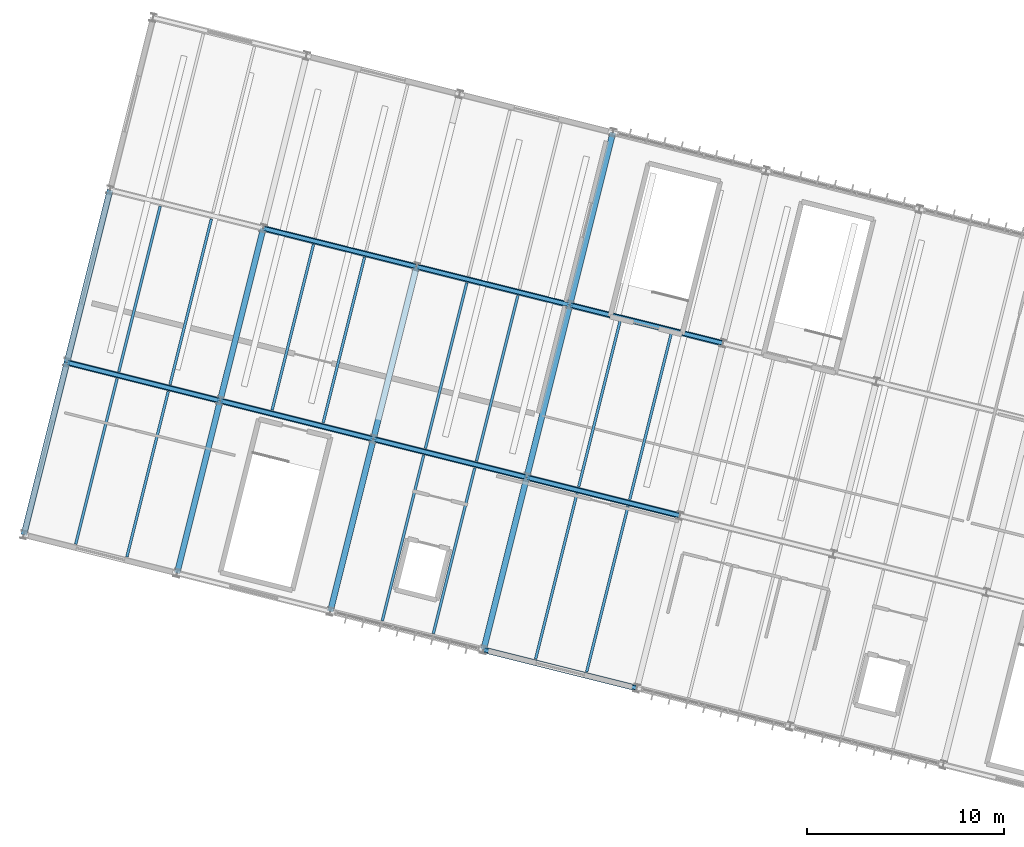
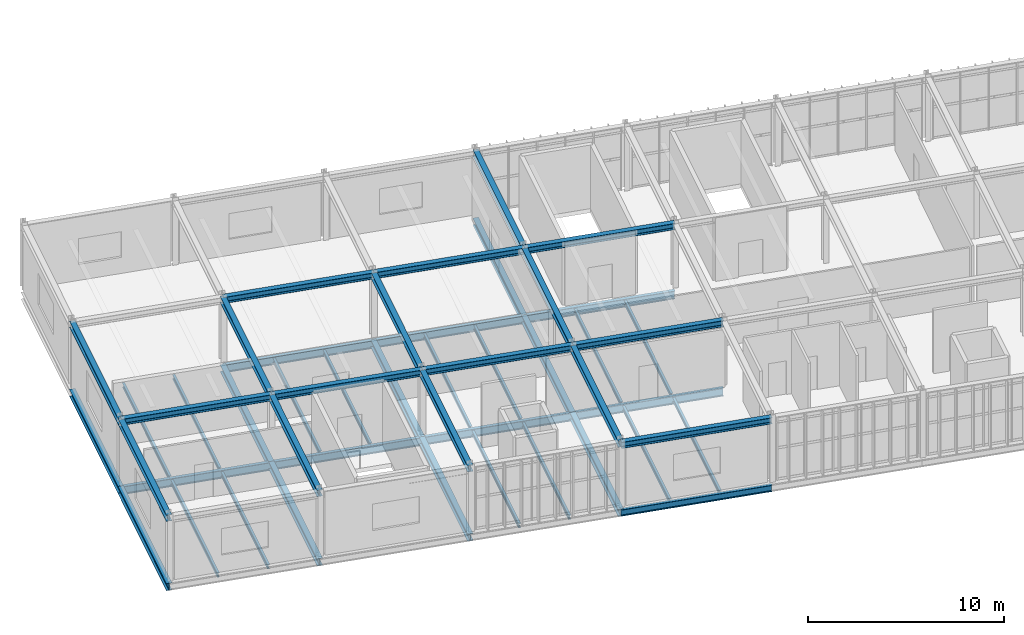
# One storey, part 7 of 30: 48 beams.
"""IFC4 building model written with IfcOpenShell, lengths in metres."""

import ifcopenshell
import ifcopenshell.guid

model = None  # the IFC model being written
_history = None  # IfcOwnerHistory: only IFC2X3 demands one
_inside = {}  # id of a spatial element -> (the spatial element, [elements in it])
_under = {}  # id of a project, library or spatial element -> (it, [spatial elements below it])
_declared = {}  # id of a project -> (the project, [libraries it declares])
_typed = {}  # id of a type object -> (the type object, [elements of that type])
_made_of = {}  # id of a material, layer set ... -> (it, [elements and type objects made of it])


def new_model(schema):
    """Start an empty IFC model of exactly this schema.

    Asked for "IFC4X3", IfcOpenShell would pick the latest addendum, in which some entities
    have other attributes; the version numbers below select the first issue.
    IFC2X3 requires an IfcOwnerHistory on every rooted entity: one is made here for all.
    """
    global model, _history
    if schema == "IFC4X3":
        model = ifcopenshell.file(schema_version=(4, 3, 0, 0))
    else:
        model = ifcopenshell.file(schema=schema)
    _inside.clear()
    _under.clear()
    _declared.clear()
    _typed.clear()
    _made_of.clear()
    _history = None
    if model.schema == "IFC2X3":
        org = make("IfcOrganization", Name="unknown")
        user = make(
            "IfcPersonAndOrganization",
            ThePerson=make("IfcPerson", FamilyName="unknown"),
            TheOrganization=org,
        )
        app = make(
            "IfcApplication",
            ApplicationDeveloper=org,
            Version="unknown",
            ApplicationFullName="unknown",
            ApplicationIdentifier="unknown",
        )
        _history = make(
            "IfcOwnerHistory",
            OwningUser=user,
            OwningApplication=app,
            ChangeAction="ADDED",
            CreationDate=0,
        )
    return model


def make(cls, **values):
    """One entity of the class cls with the attributes given. An attribute that is None is left unset."""
    return model.create_entity(
        cls, **{name: value for name, value in values.items() if value is not None}
    )


def rooted(cls, **values):
    """An entity with a GlobalId (a new one), such as an element, a storey or a relation."""
    return make(cls, GlobalId=ifcopenshell.guid.new(), OwnerHistory=_history, **values)


def si_unit(unit_type, name, prefix=None):
    """IfcSIUnit, for example si_unit("LENGTHUNIT", "METRE", prefix="MILLI")."""
    return make("IfcSIUnit", UnitType=unit_type, Prefix=prefix, Name=name)


def derived_unit(unit_type, elements):
    """IfcDerivedUnit: a product of units, each with its exponent."""
    return make(
        "IfcDerivedUnit",
        Elements=[
            make("IfcDerivedUnitElement", Unit=unit, Exponent=power)
            for unit, power in elements
        ],
        UnitType=unit_type,
    )


def assignment(units):
    """IfcUnitAssignment: the units of a project."""
    return None if units is None else make("IfcUnitAssignment", Units=units)


def point(xyz):
    """IfcCartesianPoint."""
    return None if xyz is None else make("IfcCartesianPoint", Coordinates=xyz)


def direction(xyz):
    """IfcDirection."""
    return None if xyz is None else make("IfcDirection", DirectionRatios=xyz)


def frame(location, z_axis=None, x_axis=None):
    """IfcAxis2Placement3D, a coordinate frame: its origin and axes. An axis left out is left unset."""
    return make(
        "IfcAxis2Placement3D",
        Location=point(location),
        Axis=direction(z_axis),
        RefDirection=direction(x_axis),
    )


def frame_2d(location, x_axis=None):
    """IfcAxis2Placement2D, a coordinate frame in the plane: its origin and x axis."""
    return make(
        "IfcAxis2Placement2D", Location=point(location), RefDirection=direction(x_axis)
    )


def origin():
    """The frame at (0, 0, 0) with its axes left unset."""
    return frame((0.0, 0.0, 0.0))


def origin_2d():
    """The frame at (0, 0) in the plane with its x axis left unset."""
    return frame_2d((0.0, 0.0))


def place(relative_to, where):
    """IfcLocalPlacement: puts the frame where relative to a parent placement (None: the world)."""
    return make(
        "IfcLocalPlacement", PlacementRelTo=relative_to, RelativePlacement=where
    )


def context(
    kind, dimensions, precision=None, world=None, true_north=None, identifier=None
):
    """IfcGeometricRepresentationContext, for example the 3D "Model" context."""
    return make(
        "IfcGeometricRepresentationContext",
        ContextIdentifier=identifier,
        ContextType=kind,
        CoordinateSpaceDimension=dimensions,
        Precision=precision,
        WorldCoordinateSystem=world,
        TrueNorth=true_north,
    )


def subcontext(parent, identifier, kind, view, scale=None):
    """IfcGeometricRepresentationSubContext, for example "Body" below "Model"."""
    return make(
        "IfcGeometricRepresentationSubContext",
        ContextIdentifier=identifier,
        ContextType=kind,
        ParentContext=parent,
        TargetScale=scale,
        TargetView=view,
    )


def project(units=None, contexts=None):
    """IfcProject with its units and contexts."""
    return rooted(
        "IfcProject",
        Name="project",
        RepresentationContexts=contexts,
        UnitsInContext=assignment(units),
    )


def spatial(cls, under=None, at=None, **own):
    """A site, building, storey or space (cls), placed at a placement, below another one or the project."""
    s = rooted(cls, ObjectPlacement=at, **own)
    if under is not None:
        _under.setdefault(under.id(), (under, []))[1].append(s)
    return s


def profile(cls, at=None, kind="AREA", **sizes):
    """A parametric profile (cls). Its sizes go by their IFC names, for example OverallWidth=200.0."""
    return make(cls, ProfileType=kind, Position=at, **sizes)


def i_section(**sizes):
    """IfcIShapeProfileDef."""
    return profile("IfcIShapeProfileDef", **sizes)


def extrude(swept, where, along, depth):
    """IfcExtrudedAreaSolid: the profile swept, set in the frame where, extruded along a direction by depth."""
    return make(
        "IfcExtrudedAreaSolid",
        SweptArea=swept,
        Position=where,
        ExtrudedDirection=direction(along),
        Depth=depth,
    )


def shape(context_of_items, identifier, shape_type, items):
    """IfcShapeRepresentation: the items that make up one representation, for example the "Body"."""
    return make(
        "IfcShapeRepresentation",
        ContextOfItems=context_of_items,
        RepresentationIdentifier=identifier,
        RepresentationType=shape_type,
        Items=items,
    )


def material(Name=None, Category=None):
    """IfcMaterial."""
    return make("IfcMaterial", Name=Name, Category=Category)


def material_profile(
    of_material, cross_section, Name=None, Category=None, Priority=None
):
    """IfcMaterialProfile: a cross section and its material."""
    return make(
        "IfcMaterialProfile",
        Name=Name,
        Material=of_material,
        Profile=cross_section,
        Priority=Priority,
        Category=Category,
    )


def profile_set(profiles, Name=None, composite=None):
    """IfcMaterialProfileSet."""
    return make(
        "IfcMaterialProfileSet",
        Name=Name,
        MaterialProfiles=profiles,
        CompositeProfile=composite,
    )


def made_of(thing, what):
    """Note that an element or type object is made of a material, layer set ...; save() writes the relation."""
    if what is not None:
        _made_of.setdefault(what.id(), (what, []))[1].append(thing)
    return thing


def type_object(cls, material=None, **own):
    """A type object (cls), such as IfcWallType, which elements share."""
    return made_of(rooted(cls, **own), material)


def element(
    cls,
    number,
    at=None,
    inside=None,
    cuts=None,
    type_object=None,
    material=None,
    context=None,
    identifier="Body",
    shape_type=None,
    held_by="IfcProductDefinitionShape",
    body=None,
    shapes=None,
    **own,
):
    """One element of the class cls, such as IfcWall. Its Tag is "e" and its number.

    at: its placement. inside: the storey or other place that contains it. cuts: it is an
    opening in that element (IfcRelVoidsElement). A single representation is given by context,
    identifier, shape_type and body (its items); several are given by shapes. held_by: the class
    of the entity that holds the representations. save() writes the other relations.
    """
    e = rooted(cls, Tag="e%d" % number, ObjectPlacement=at, **own)
    if body is not None:
        shapes = [shape(context, identifier, shape_type, body)]
    if shapes is not None:
        e.Representation = make(held_by, Representations=shapes)
    if inside is not None:
        _inside.setdefault(inside.id(), (inside, []))[1].append(e)
    if cuts is not None:
        rooted(
            "IfcRelVoidsElement", RelatingBuildingElement=cuts, RelatedOpeningElement=e
        )
    if type_object is not None:
        _typed.setdefault(type_object.id(), (type_object, []))[1].append(e)
    return made_of(e, material)


def aggregate(whole, parts):
    """IfcRelAggregates: a whole, such as a stair, and the parts it consists of."""
    return rooted("IfcRelAggregates", RelatingObject=whole, RelatedObjects=parts)


def save(model, path):
    """Write the relations noted so far, then the file.

    IfcRelAggregates (storeys below a building ...), IfcRelContainedInSpatialStructure (elements
    in a storey), IfcRelDefinesByType, IfcRelAssociatesMaterial and IfcRelDeclares: one each for
    every whole, place, type object, material and project.
    """
    for whole, parts in _under.values():
        aggregate(whole, parts)
    for where, things in _inside.values():
        rooted(
            "IfcRelContainedInSpatialStructure",
            RelatedElements=things,
            RelatingStructure=where,
        )
    for kind, things in _typed.values():
        rooted("IfcRelDefinesByType", RelatedObjects=things, RelatingType=kind)
    for what, things in _made_of.values():
        rooted("IfcRelAssociatesMaterial", RelatedObjects=things, RelatingMaterial=what)
    for by, libraries in _declared.values():
        rooted("IfcRelDeclares", RelatingContext=by, RelatedDefinitions=libraries)
    model.write(path)


model = new_model("IFC4")

# Units and contexts
model_context = context("Model", 3, precision=1e-05, world=origin(), true_north=direction((0.0, 1.0)))
body_context = subcontext(model_context, "Body", "Model", "MODEL_VIEW")
ifc_project = project(units=[si_unit("LENGTHUNIT", "METRE"), si_unit("AREAUNIT", "SQUARE_METRE"), si_unit("VOLUMEUNIT", "CUBIC_METRE"), si_unit("PLANEANGLEUNIT", "RADIAN"), si_unit("MASSUNIT", "GRAM", prefix="KILO"), si_unit("THERMODYNAMICTEMPERATUREUNIT", "KELVIN"), si_unit("TIMEUNIT", "SECOND"), derived_unit("THERMALTRANSMITTANCEUNIT", [(si_unit("MASSUNIT", "GRAM", prefix="KILO"), 1), (si_unit("THERMODYNAMICTEMPERATUREUNIT", "KELVIN"), -1), (si_unit("TIMEUNIT", "SECOND"), -3)])], contexts=[model_context])

# Site, building, storey
site_placement = place(None, origin())
site = spatial("IfcSite", under=ifc_project, at=site_placement, CompositionType="ELEMENT")
building_placement = place(site_placement, origin())
building = spatial("IfcBuilding", under=site, at=building_placement, Name="Cambertide Market Hall", CompositionType="ELEMENT")
storey_placement = place(building_placement, frame((0.0, 0.0, 14.10009765625)))
storey = spatial("IfcBuildingStorey", under=building, at=storey_placement, Name="L04", CompositionType="ELEMENT", Elevation=14.10009765625)

# Beams
ifc_material_1 = material(Name="Steel S355", Category="steel")
ifc_material_profile_1 = material_profile(ifc_material_1, i_section(OverallWidth=0.300048828125, OverallDepth=0.389892578125, WebThickness=0.010986328125, FlangeThickness=0.01904296875, FilletRadius=0.027099609375, at=origin_2d()), Name="HEA 400")
ifc_profile_set_1 = profile_set([ifc_material_profile_1], Name="Steel S355")
beam_type_1 = type_object("IfcBeamType", Name="Exterior Steel Girder HEA 400", PredefinedType="BEAM", material=ifc_profile_set_1)
beam_1_placement = place(storey_placement, frame((110.182861328125, 108.731201171875, 3.804931640625), z_axis=(0.970144295309, -0.242528444268, 0.0), x_axis=(0.242528444268, 0.970144295309, 0.0)))
element("IfcBeam", 1, at=beam_1_placement, inside=storey, type_object=beam_type_1, Name="Level 4 Beam BM-V4U-RF-1-2", PredefinedType="BEAM", context=body_context, shape_type="SweptSolid", body=[
    extrude(i_section(OverallWidth=0.300048828125, OverallDepth=0.389892578125, WebThickness=0.010986328125, FlangeThickness=0.01904296875, FilletRadius=0.027099609375, at=origin_2d()), origin(), (0.0, 0.0, 1.0), 7.999755859375),
])
for number, where, z_axis, x_axis, name in (
    (2, (117.94384765625, 106.791015625, 3.804931640625), (0.970146090314, -0.242521263911, 0.0), (0.242521263911, 0.970146090314, 0.0), "Level 4 Beam BM-V4U-RF-2-2"),
    (3, (120.126708984375, 115.522216796875, 3.804931640625), (0.970146090314, -0.242521263911, 0.0), (0.242521263911, 0.970146090314, 0.0), "Level 4 Beam BM-V4U-RF-2-3"),
):
    element("IfcBeam", number, at=place(storey_placement, frame(where, z_axis=z_axis, x_axis=x_axis)), inside=storey, type_object=beam_type_1, Name=name, PredefinedType="BEAM", context=body_context, shape_type="SweptSolid", body=[
        extrude(i_section(OverallWidth=0.300048828125, OverallDepth=0.389892578125, WebThickness=0.010986328125, FlangeThickness=0.01904296875, FilletRadius=0.027099609375, at=origin_2d()), origin(), (0.0, 0.0, 1.0), 8.0),
    ])
for number, where, z_axis, x_axis, name in (
    (4, (125.705078125, 104.850830078125, 3.804931640625), (0.970138909791, -0.242549986002, 0.0), (0.242549986002, 0.970138909791, 0.0), "Level 4 Beam BM-V4U-RF-3-2"),
    (5, (127.887939453125, 113.58203125, 3.804931640625), (0.970138909791, -0.242549986002, 0.0), (0.242549986002, 0.970138909791, 0.0), "Level 4 Beam BM-V4U-RF-3-3"),
    (6, (131.283447265625, 94.17919921875, 3.804931640625), (0.970138909791, -0.242549986002, 0.0), (0.242549986002, 0.970138909791, 0.0), "Level 4 Beam BM-V4U-RF-4-1"),
):
    element("IfcBeam", number, at=place(storey_placement, frame(where, z_axis=z_axis, x_axis=x_axis)), inside=storey, type_object=beam_type_1, Name=name, PredefinedType="BEAM", context=body_context, shape_type="SweptSolid", body=[
        extrude(i_section(OverallWidth=0.300048828125, OverallDepth=0.389892578125, WebThickness=0.010986328125, FlangeThickness=0.01904296875, FilletRadius=0.027099609375, at=origin_2d()), origin(), (0.0, 0.0, 1.0), 8.000244140625),
    ])
for number, where, z_axis, x_axis, name in (
    (7, (133.46630859375, 102.910400390625, 3.804931640625), (0.970144295309, -0.242528444268, 0.0), (0.242528444268, 0.970144295309, 0.0), "Level 4 Beam BM-V4U-RF-4-2"),
    (8, (135.649169921875, 111.6416015625, 3.804931640625), (0.970144295309, -0.242528444268, 0.0), (0.242528444268, 0.970144295309, 0.0), "Level 4 Beam BM-V4U-RF-4-3"),
):
    element("IfcBeam", number, at=place(storey_placement, frame(where, z_axis=z_axis, x_axis=x_axis)), inside=storey, type_object=beam_type_1, Name=name, PredefinedType="BEAM", context=body_context, shape_type="SweptSolid", body=[
        extrude(i_section(OverallWidth=0.300048828125, OverallDepth=0.389892578125, WebThickness=0.010986328125, FlangeThickness=0.01904296875, FilletRadius=0.027099609375, at=origin_2d()), origin(), (0.0, 0.0, 1.0), 7.999755859375),
    ])
beam_2_placement = place(storey_placement, frame((108.0, 100.0, 3.804931640625), z_axis=(0.242542007841, 0.970140904422, 0.0), x_axis=(-0.970140904422, 0.242542007841, 0.0)))
element("IfcBeam", 9, at=beam_2_placement, inside=storey, type_object=beam_type_1, Name="Level 4 Beam BM-V4V-RF-1-1", PredefinedType="BEAM", context=body_context, shape_type="SweptSolid", body=[
    extrude(i_section(OverallWidth=0.300048828125, OverallDepth=0.389892578125, WebThickness=0.010986328125, FlangeThickness=0.01904296875, FilletRadius=0.027099609375, at=origin_2d()), origin(), (0.0, 0.0, 1.0), 9.0),
])
beam_3_placement = place(storey_placement, frame((110.182861328125, 108.731201171875, 3.804931640625), z_axis=(0.242535625036, 0.970142500145, 0.0), x_axis=(-0.970142500145, 0.242535625036, 0.0)))
element("IfcBeam", 10, at=beam_3_placement, inside=storey, type_object=beam_type_1, Name="Level 4 Beam BM-V4V-RF-1-2", PredefinedType="BEAM", context=body_context, shape_type="SweptSolid", body=[
    extrude(i_section(OverallWidth=0.300048828125, OverallDepth=0.389892578125, WebThickness=0.010986328125, FlangeThickness=0.01904296875, FilletRadius=0.027099609375, at=origin_2d()), origin(), (0.0, 0.0, 1.0), 9.000244140625),
])
beam_4_placement = place(storey_placement, frame((115.76123046875, 98.059814453125, 3.804931640625), z_axis=(0.242516476432, 0.970147287096, 0.0), x_axis=(-0.970147287096, 0.242516476432, 0.0)))
element("IfcBeam", 11, at=beam_4_placement, inside=storey, type_object=beam_type_1, Name="Level 4 Beam BM-V4V-RF-2-1", PredefinedType="BEAM", context=body_context, shape_type="SweptSolid", body=[
    extrude(i_section(OverallWidth=0.300048828125, OverallDepth=0.389892578125, WebThickness=0.010986328125, FlangeThickness=0.01904296875, FilletRadius=0.027099609375, at=origin_2d()), origin(), (0.0, 0.0, 1.0), 8.999755859375),
])
beam_5_placement = place(storey_placement, frame((117.94384765625, 106.791015625, 3.804931640625), z_axis=(0.242542007841, 0.970140904422, 0.0), x_axis=(-0.970140904422, 0.242542007841, 0.0)))
element("IfcBeam", 12, at=beam_5_placement, inside=storey, type_object=beam_type_1, Name="Level 4 Beam BM-V4V-RF-2-2", PredefinedType="BEAM", context=body_context, shape_type="SweptSolid", body=[
    extrude(i_section(OverallWidth=0.300048828125, OverallDepth=0.389892578125, WebThickness=0.010986328125, FlangeThickness=0.01904296875, FilletRadius=0.027099609375, at=origin_2d()), origin(), (0.0, 0.0, 1.0), 9.0),
])
beam_6_placement = place(storey_placement, frame((123.522216796875, 96.119384765625, 3.804931640625), z_axis=(0.242535625036, 0.970142500145, 0.0), x_axis=(-0.970142500145, 0.242535625036, 0.0)))
element("IfcBeam", 13, at=beam_6_placement, inside=storey, type_object=beam_type_1, Name="Level 4 Beam BM-V4V-RF-3-1", PredefinedType="BEAM", context=body_context, shape_type="SweptSolid", body=[
    extrude(i_section(OverallWidth=0.300048828125, OverallDepth=0.389892578125, WebThickness=0.010986328125, FlangeThickness=0.01904296875, FilletRadius=0.027099609375, at=origin_2d()), origin(), (0.0, 0.0, 1.0), 9.000244140625),
])
for number, where, z_axis, x_axis, name in (
    (14, (125.705078125, 104.850830078125, 3.804931640625), (0.242542007841, 0.970140904422, 0.0), (-0.970140904422, 0.242542007841, 0.0), "Level 4 Beam BM-V4V-RF-3-2"),
    (15, (131.283447265625, 94.17919921875, 3.804931640625), (0.242542007841, 0.970140904422, 0.0), (-0.970140904422, 0.242542007841, 0.0), "Level 4 Beam BM-V4V-RF-4-1"),
    (16, (133.46630859375, 102.910400390625, 3.804931640625), (0.242542007841, 0.970140904422, 0.0), (-0.970140904422, 0.242542007841, 0.0), "Level 4 Beam BM-V4V-RF-4-2"),
    (17, (135.649169921875, 111.6416015625, 3.804931640625), (0.242510094215, 0.970148882494, 0.0), (-0.970148882494, 0.242510094215, 0.0), "Level 4 Beam BM-V4V-RF-4-3"),
):
    element("IfcBeam", number, at=place(storey_placement, frame(where, z_axis=z_axis, x_axis=x_axis)), inside=storey, type_object=beam_type_1, Name=name, PredefinedType="BEAM", context=body_context, shape_type="SweptSolid", body=[
        extrude(i_section(OverallWidth=0.300048828125, OverallDepth=0.389892578125, WebThickness=0.010986328125, FlangeThickness=0.01904296875, FilletRadius=0.027099609375, at=origin_2d()), origin(), (0.0, 0.0, 1.0), 9.0),
    ])
ifc_material_2 = material(Name="Steel S355", Category="steel")
ifc_material_profile_2 = material_profile(ifc_material_2, i_section(OverallWidth=0.179931640625, OverallDepth=0.39990234375, WebThickness=0.008544921875, FlangeThickness=0.013427734375, FilletRadius=0.02099609375, at=origin_2d()), Name="IPE 400")
ifc_profile_set_2 = profile_set([ifc_material_profile_2], Name="Steel S355")
beam_type_2 = type_object("IfcBeamType", Name="Perimeter Spandrel Beam IPE 400", PredefinedType="SPANDREL", material=ifc_profile_set_2)
beam_7_placement = place(storey_placement, frame((131.283447265625, 94.17919921875, -0.455078125), z_axis=(0.970138909791, -0.242549986002, 0.0), x_axis=(0.242549986002, 0.970138909791, 0.0)))
element("IfcBeam", 18, at=beam_7_placement, inside=storey, type_object=beam_type_2, Name="Level 4 Spandrel BM-V4U-L04-4-1", PredefinedType="SPANDREL", context=body_context, shape_type="SweptSolid", body=[
    extrude(i_section(OverallWidth=0.179931640625, OverallDepth=0.39990234375, WebThickness=0.008544921875, FlangeThickness=0.013427734375, FilletRadius=0.02099609375, at=origin_2d()), origin(), (0.0, 0.0, 1.0), 8.000244140625),
])
ifc_material_3 = material(Name="Steel S355", Category="steel")
ifc_material_profile_3 = material_profile(ifc_material_3, i_section(OverallWidth=0.300048828125, OverallDepth=0.449951171875, WebThickness=0.013916015625, FlangeThickness=0.02587890625, FilletRadius=0.027099609375, at=origin_2d()), Name="HEB 450")
ifc_profile_set_3 = profile_set([ifc_material_profile_3], Name="Steel S355")
beam_type_3 = type_object("IfcBeamType", Name="Steel Girder HEB 450", PredefinedType="BEAM", material=ifc_profile_set_3)
beam_8_placement = place(storey_placement, frame((108.0, 100.0, -0.47998046875), z_axis=(0.242542007841, 0.970140904422, 0.0), x_axis=(-0.970140904422, 0.242542007841, 0.0)))
element("IfcBeam", 19, at=beam_8_placement, inside=storey, type_object=beam_type_3, Name="Level 4 Beam BM-V4V-L04-1-1", PredefinedType="BEAM", context=body_context, shape_type="SweptSolid", body=[
    extrude(i_section(OverallWidth=0.300048828125, OverallDepth=0.449951171875, WebThickness=0.013916015625, FlangeThickness=0.02587890625, FilletRadius=0.027099609375, at=origin_2d()), origin(), (0.0, 0.0, 1.0), 9.0),
])
beam_9_placement = place(storey_placement, frame((110.182861328125, 108.731201171875, -0.47998046875), z_axis=(0.242535625036, 0.970142500145, 0.0), x_axis=(-0.970142500145, 0.242535625036, 0.0)))
element("IfcBeam", 20, at=beam_9_placement, inside=storey, type_object=beam_type_3, Name="Level 4 Beam BM-V4V-L04-1-2", PredefinedType="BEAM", context=body_context, shape_type="SweptSolid", body=[
    extrude(i_section(OverallWidth=0.300048828125, OverallDepth=0.449951171875, WebThickness=0.013916015625, FlangeThickness=0.02587890625, FilletRadius=0.027099609375, at=origin_2d()), origin(), (0.0, 0.0, 1.0), 9.000244140625),
])
beam_10_placement = place(storey_placement, frame((115.76123046875, 98.059814453125, -0.47998046875), z_axis=(0.242516476432, 0.970147287096, 0.0), x_axis=(-0.970147287096, 0.242516476432, 0.0)))
element("IfcBeam", 21, at=beam_10_placement, inside=storey, type_object=beam_type_3, Name="Level 4 Beam BM-V4V-L04-2-1", PredefinedType="BEAM", context=body_context, shape_type="SweptSolid", body=[
    extrude(i_section(OverallWidth=0.300048828125, OverallDepth=0.449951171875, WebThickness=0.013916015625, FlangeThickness=0.02587890625, FilletRadius=0.027099609375, at=origin_2d()), origin(), (0.0, 0.0, 1.0), 8.999755859375),
])
beam_11_placement = place(storey_placement, frame((117.94384765625, 106.791015625, -0.47998046875), z_axis=(0.242542007841, 0.970140904422, 0.0), x_axis=(-0.970140904422, 0.242542007841, 0.0)))
element("IfcBeam", 22, at=beam_11_placement, inside=storey, type_object=beam_type_3, Name="Level 4 Beam BM-V4V-L04-2-2", PredefinedType="BEAM", context=body_context, shape_type="SweptSolid", body=[
    extrude(i_section(OverallWidth=0.300048828125, OverallDepth=0.449951171875, WebThickness=0.013916015625, FlangeThickness=0.02587890625, FilletRadius=0.027099609375, at=origin_2d()), origin(), (0.0, 0.0, 1.0), 9.0),
])
beam_12_placement = place(storey_placement, frame((123.522216796875, 96.119384765625, -0.47998046875), z_axis=(0.242535625036, 0.970142500145, 0.0), x_axis=(-0.970142500145, 0.242535625036, 0.0)))
element("IfcBeam", 23, at=beam_12_placement, inside=storey, type_object=beam_type_3, Name="Level 4 Beam BM-V4V-L04-3-1", PredefinedType="BEAM", context=body_context, shape_type="SweptSolid", body=[
    extrude(i_section(OverallWidth=0.300048828125, OverallDepth=0.449951171875, WebThickness=0.013916015625, FlangeThickness=0.02587890625, FilletRadius=0.027099609375, at=origin_2d()), origin(), (0.0, 0.0, 1.0), 9.000244140625),
])
for number, where, z_axis, x_axis, name in (
    (24, (125.705078125, 104.850830078125, -0.47998046875), (0.242542007841, 0.970140904422, 0.0), (-0.970140904422, 0.242542007841, 0.0), "Level 4 Beam BM-V4V-L04-3-2"),
    (25, (131.283447265625, 94.17919921875, -0.47998046875), (0.242542007841, 0.970140904422, 0.0), (-0.970140904422, 0.242542007841, 0.0), "Level 4 Beam BM-V4V-L04-4-1"),
    (26, (133.46630859375, 102.910400390625, -0.47998046875), (0.242542007841, 0.970140904422, 0.0), (-0.970140904422, 0.242542007841, 0.0), "Level 4 Beam BM-V4V-L04-4-2"),
    (27, (135.649169921875, 111.6416015625, -0.47998046875), (0.242510094215, 0.970148882494, 0.0), (-0.970148882494, 0.242510094215, 0.0), "Level 4 Beam BM-V4V-L04-4-3"),
):
    element("IfcBeam", number, at=place(storey_placement, frame(where, z_axis=z_axis, x_axis=x_axis)), inside=storey, type_object=beam_type_3, Name=name, PredefinedType="BEAM", context=body_context, shape_type="SweptSolid", body=[
        extrude(i_section(OverallWidth=0.300048828125, OverallDepth=0.449951171875, WebThickness=0.013916015625, FlangeThickness=0.02587890625, FilletRadius=0.027099609375, at=origin_2d()), origin(), (0.0, 0.0, 1.0), 9.0),
    ])
ifc_material_4 = material(Name="Steel S355", Category="steel")
ifc_material_profile_4 = material_profile(ifc_material_4, i_section(OverallWidth=0.199951171875, OverallDepth=0.5, WebThickness=0.01025390625, FlangeThickness=0.01611328125, FilletRadius=0.02099609375, at=origin_2d()), Name="IPE 500")
ifc_profile_set_4 = profile_set([ifc_material_profile_4], Name="Steel S355")
beam_type_4 = type_object("IfcBeamType", Name="Steel Girder IPE 500", PredefinedType="BEAM", material=ifc_profile_set_4)
beam_13_placement = place(storey_placement, frame((110.182861328125, 108.731201171875, -0.505126953125), z_axis=(0.970144295309, -0.242528444268, 0.0), x_axis=(0.242528444268, 0.970144295309, 0.0)))
element("IfcBeam", 28, at=beam_13_placement, inside=storey, type_object=beam_type_4, Name="Level 4 Beam BM-V4U-L04-1-2", PredefinedType="BEAM", context=body_context, shape_type="SweptSolid", body=[
    extrude(i_section(OverallWidth=0.199951171875, OverallDepth=0.5, WebThickness=0.01025390625, FlangeThickness=0.01611328125, FilletRadius=0.02099609375, at=origin_2d()), origin(), (0.0, 0.0, 1.0), 7.999755859375),
])
for number, where, z_axis, x_axis, name in (
    (29, (117.94384765625, 106.791015625, -0.505126953125), (0.970146090314, -0.242521263911, 0.0), (0.242521263911, 0.970146090314, 0.0), "Level 4 Beam BM-V4U-L04-2-2"),
    (30, (120.126708984375, 115.522216796875, -0.505126953125), (0.970146090314, -0.242521263911, 0.0), (0.242521263911, 0.970146090314, 0.0), "Level 4 Beam BM-V4U-L04-2-3"),
):
    element("IfcBeam", number, at=place(storey_placement, frame(where, z_axis=z_axis, x_axis=x_axis)), inside=storey, type_object=beam_type_4, Name=name, PredefinedType="BEAM", context=body_context, shape_type="SweptSolid", body=[
        extrude(i_section(OverallWidth=0.199951171875, OverallDepth=0.5, WebThickness=0.01025390625, FlangeThickness=0.01611328125, FilletRadius=0.02099609375, at=origin_2d()), origin(), (0.0, 0.0, 1.0), 8.0),
    ])
for number, where, z_axis, x_axis, name in (
    (31, (125.705078125, 104.850830078125, -0.505126953125), (0.970138909791, -0.242549986002, 0.0), (0.242549986002, 0.970138909791, 0.0), "Level 4 Beam BM-V4U-L04-3-2"),
    (32, (127.887939453125, 113.58203125, -0.505126953125), (0.970138909791, -0.242549986002, 0.0), (0.242549986002, 0.970138909791, 0.0), "Level 4 Beam BM-V4U-L04-3-3"),
):
    element("IfcBeam", number, at=place(storey_placement, frame(where, z_axis=z_axis, x_axis=x_axis)), inside=storey, type_object=beam_type_4, Name=name, PredefinedType="BEAM", context=body_context, shape_type="SweptSolid", body=[
        extrude(i_section(OverallWidth=0.199951171875, OverallDepth=0.5, WebThickness=0.01025390625, FlangeThickness=0.01611328125, FilletRadius=0.02099609375, at=origin_2d()), origin(), (0.0, 0.0, 1.0), 8.000244140625),
    ])
for number, where, z_axis, x_axis, name in (
    (33, (133.46630859375, 102.910400390625, -0.505126953125), (0.970144295309, -0.242528444268, 0.0), (0.242528444268, 0.970144295309, 0.0), "Level 4 Beam BM-V4U-L04-4-2"),
    (34, (135.649169921875, 111.6416015625, -0.505126953125), (0.970144295309, -0.242528444268, 0.0), (0.242528444268, 0.970144295309, 0.0), "Level 4 Beam BM-V4U-L04-4-3"),
):
    element("IfcBeam", number, at=place(storey_placement, frame(where, z_axis=z_axis, x_axis=x_axis)), inside=storey, type_object=beam_type_4, Name=name, PredefinedType="BEAM", context=body_context, shape_type="SweptSolid", body=[
        extrude(i_section(OverallWidth=0.199951171875, OverallDepth=0.5, WebThickness=0.01025390625, FlangeThickness=0.01611328125, FilletRadius=0.02099609375, at=origin_2d()), origin(), (0.0, 0.0, 1.0), 7.999755859375),
    ])
ifc_material_5 = material(Name="Steel S275", Category="steel")
ifc_material_profile_5 = material_profile(ifc_material_5, i_section(OverallWidth=0.135009765625, OverallDepth=0.27001953125, WebThickness=0.006591796875, FlangeThickness=0.01025390625, FilletRadius=0.014892578125, at=origin_2d()), Name="IPE 270")
ifc_profile_set_5 = profile_set([ifc_material_profile_5], Name="Steel S275")
beam_type_5 = type_object("IfcBeamType", Name="Steel Secondary Joist IPE 270", PredefinedType="JOIST", material=ifc_profile_set_5)
for number, where, z_axis, x_axis, name in (
    (35, (110.630615234375, 99.52783203125, -0.39013671875), (0.242555570896, 0.970137513463, 0.0), (-0.970137513463, 0.242555570896, 0.0), "Level 4 Joist JS-V4-L04-1-1-1"),
    (36, (113.2177734375, 98.881103515625, -0.39013671875), (0.242528976348, 0.970144162293, 0.0), (-0.970144162293, 0.242528976348, 0.0), "Level 4 Joist JS-V4-L04-1-1-2"),
    (37, (112.8134765625, 108.259033203125, -0.39013671875), (0.242528976348, 0.970144162293, 0.0), (-0.970144162293, 0.242528976348, 0.0), "Level 4 Joist JS-V4-L04-1-2-1"),
    (38, (115.400634765625, 107.6123046875, -0.39013671875), (0.242528976348, 0.970144162293, 0.0), (-0.970144162293, 0.242528976348, 0.0), "Level 4 Joist JS-V4-L04-1-2-2"),
    (39, (120.57470703125, 106.31884765625, -0.39013671875), (0.242528976348, 0.970144162293, 0.0), (-0.970144162293, 0.242528976348, 0.0), "Level 4 Joist JS-V4-L04-2-2-1"),
    (40, (123.16162109375, 105.672119140625, -0.39013671875), (0.242555570896, 0.970137513463, 0.0), (-0.970137513463, 0.242555570896, 0.0), "Level 4 Joist JS-V4-L04-2-2-2"),
    (41, (126.153076171875, 95.647216796875, -0.39013671875), (0.242528976348, 0.970144162293, 0.0), (-0.970144162293, 0.242528976348, 0.0), "Level 4 Joist JS-V4-L04-3-1-1"),
    (42, (128.739990234375, 95.00048828125, -0.39013671875), (0.242528976348, 0.970144162293, 0.0), (-0.970144162293, 0.242528976348, 0.0), "Level 4 Joist JS-V4-L04-3-1-2"),
):
    element("IfcBeam", number, at=place(storey_placement, frame(where, z_axis=z_axis, x_axis=x_axis)), inside=storey, type_object=beam_type_5, Name=name, PredefinedType="JOIST", context=body_context, shape_type="SweptSolid", body=[
        extrude(i_section(OverallWidth=0.135009765625, OverallDepth=0.27001953125, WebThickness=0.006591796875, FlangeThickness=0.01025390625, FilletRadius=0.014892578125, at=origin_2d()), origin(), (0.0, 0.0, 1.0), 8.64013671875),
    ])
for number, where, z_axis, x_axis, name in (
    (43, (128.335693359375, 104.378662109375, -0.39013671875), (0.242562220222, 0.970135850962, 0.0), (-0.970135850962, 0.242562220222, 0.0), "Level 4 Joist JS-V4-L04-3-2-1"),
    (44, (130.9228515625, 103.73193359375, -0.39013671875), (0.242535625036, 0.970142500145, 0.0), (-0.970142500145, 0.242535625036, 0.0), "Level 4 Joist JS-V4-L04-3-2-2"),
):
    element("IfcBeam", number, at=place(storey_placement, frame(where, z_axis=z_axis, x_axis=x_axis)), inside=storey, type_object=beam_type_5, Name=name, PredefinedType="JOIST", context=body_context, shape_type="SweptSolid", body=[
        extrude(i_section(OverallWidth=0.135009765625, OverallDepth=0.27001953125, WebThickness=0.006591796875, FlangeThickness=0.01025390625, FilletRadius=0.014892578125, at=origin_2d()), origin(), (0.0, 0.0, 1.0), 8.639892578125),
    ])
for number, where, z_axis, x_axis, name in (
    (45, (133.9140625, 93.70703125, -0.39013671875), (0.242528976348, 0.970144162293, 0.0), (-0.970144162293, 0.242528976348, 0.0), "Level 4 Joist JS-V4-L04-4-1-1"),
    (46, (136.501220703125, 93.060302734375, -0.39013671875), (0.242528976348, 0.970144162293, 0.0), (-0.970144162293, 0.242528976348, 0.0), "Level 4 Joist JS-V4-L04-4-1-2"),
    (47, (136.096923828125, 102.438232421875, -0.39013671875), (0.242528976348, 0.970144162293, 0.0), (-0.970144162293, 0.242528976348, 0.0), "Level 4 Joist JS-V4-L04-4-2-1"),
    (48, (138.68408203125, 101.79150390625, -0.39013671875), (0.242528976348, 0.970144162293, 0.0), (-0.970144162293, 0.242528976348, 0.0), "Level 4 Joist JS-V4-L04-4-2-2"),
):
    element("IfcBeam", number, at=place(storey_placement, frame(where, z_axis=z_axis, x_axis=x_axis)), inside=storey, type_object=beam_type_5, Name=name, PredefinedType="JOIST", context=body_context, shape_type="SweptSolid", body=[
        extrude(i_section(OverallWidth=0.135009765625, OverallDepth=0.27001953125, WebThickness=0.006591796875, FlangeThickness=0.01025390625, FilletRadius=0.014892578125, at=origin_2d()), origin(), (0.0, 0.0, 1.0), 8.64013671875),
    ])

save(model, "model.ifc")
